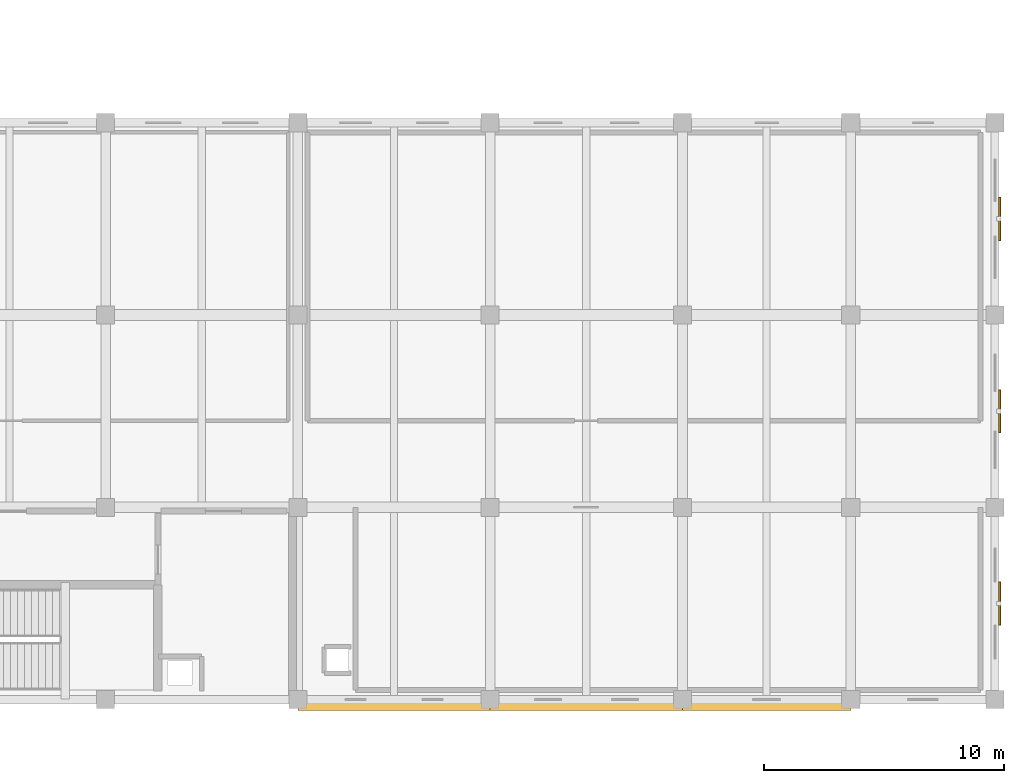
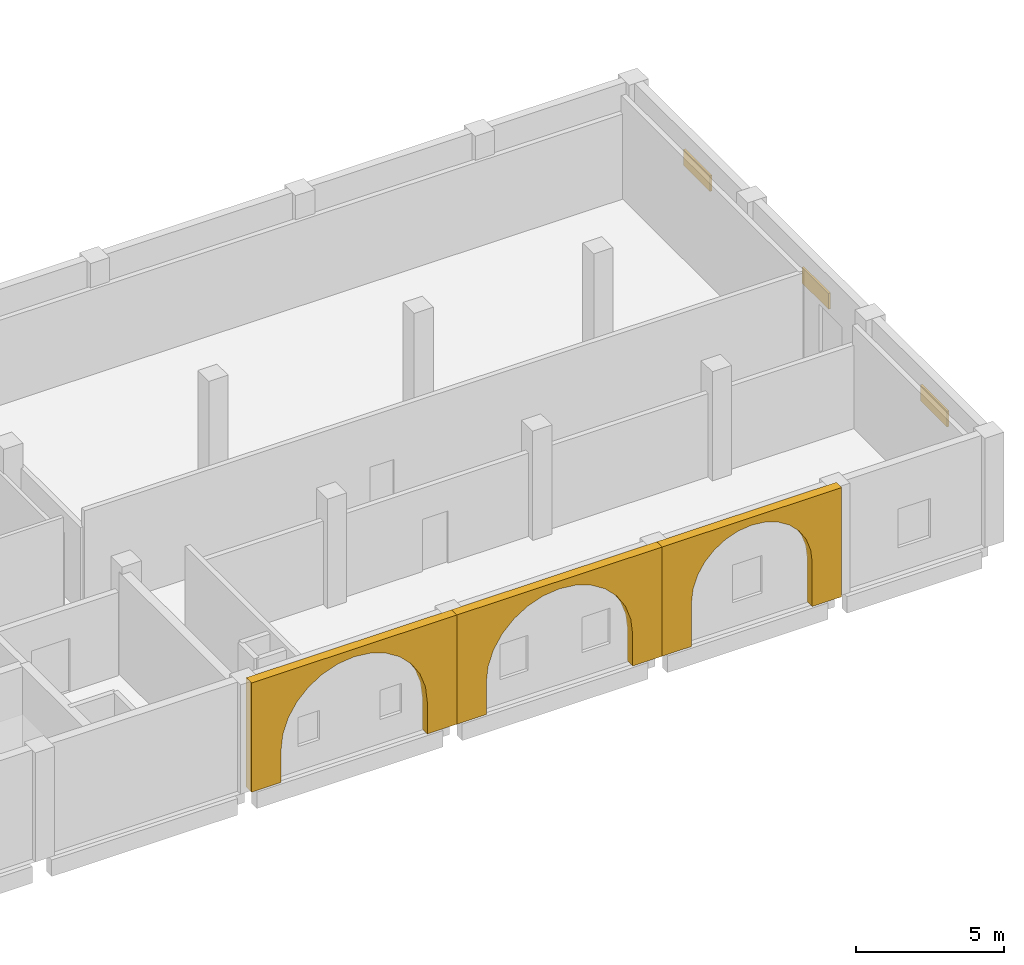
# One storey, part 53 of 53: 3 coverings, 3 shading devices.
"""IFC4 building model written with IfcOpenShell, lengths in metres."""

from ifc_helpers import new_model, si_unit, direction, frame, origin, origin_2d, place, context, subcontext, project, spatial, polyline, rectangle, outline, extrude, material, layer, layer_set, type_object, element, save


model = new_model("IFC4")

# Units and contexts
model_context = context("Model", 3, precision=1e-05, world=origin(), true_north=direction((0.0, 1.0)))
body_context = subcontext(model_context, "Body", "Model", "MODEL_VIEW")
ifc_project = project(units=[si_unit("LENGTHUNIT", "METRE"), si_unit("AREAUNIT", "SQUARE_METRE"), si_unit("VOLUMEUNIT", "CUBIC_METRE"), si_unit("PLANEANGLEUNIT", "RADIAN"), si_unit("MASSUNIT", "GRAM", prefix="KILO")], contexts=[model_context])

# Site, building, storey
site_placement = place(None, origin())
site = spatial("IfcSite", under=ifc_project, at=site_placement, CompositionType="ELEMENT")
building_placement = place(site_placement, origin())
building = spatial("IfcBuilding", under=site, at=building_placement, Name="Qorikala Patio Media Centre", CompositionType="ELEMENT")
storey_placement = place(building_placement, frame((0.0, 0.0, 5.39990234375)))
storey = spatial("IfcBuildingStorey", under=building, at=storey_placement, Name="L01", CompositionType="ELEMENT", Elevation=5.39990234375)

# Coverings
ifc_material_1 = material(Name="Comanche Granite Ashlar Stone", Category="masonry")
ifc_layer_1 = layer(ifc_material_1, 0.06005859375)
ifc_layer_set_1 = layer_set([ifc_layer_1], Name="Comanche Granite Ashlar Stone")
covering_type = type_object("IfcCoveringType", Name="COV-CLAD-STONE", PredefinedType="CLADDING", material=ifc_layer_set_1)
for number, where, z_axis, x_axis, name in (
    (1, (138.0, 2.719970703125, 0.0), (0.0, 0.0, 1.0), (1.0, 0.0, 0.0), "Spanish Colonial Stone Arched Arcade UARC-V7S-4"),
    (2, (146.0, 2.719970703125, 0.0), (0.0, 0.0, 1.0), (1.0, 0.0, 0.0), "Spanish Colonial Stone Arched Arcade UARC-V7S-5"),
):
    element("IfcCovering", number, at=place(storey_placement, frame(where, z_axis=z_axis, x_axis=x_axis)), inside=storey, type_object=covering_type, Name=name, PredefinedType="CLADDING", context=body_context, shape_type="SweptSolid", body=[
        extrude(outline(polyline([(0.0, 0.0), (1.14990234375, 0.0), (1.14990234375, 1.330078125), (1.221435546875, 1.964111328125), (1.43212890625, 2.566650390625), (1.771728515625, 3.10693359375), (2.22314453125, 3.55810546875), (2.763427734375, 3.897705078125), (3.36572265625, 4.1083984375), (4.0, 4.179931640625), (4.63427734375, 4.1083984375), (5.236572265625, 3.897705078125), (5.77685546875, 3.55810546875), (6.228271484375, 3.10693359375), (6.56787109375, 2.566650390625), (6.778564453125, 1.964111328125), (6.85009765625, 1.330078125), (6.85009765625, 0.0), (8.0, 0.0), (8.0, 4.5), (0.0, 4.5), (0.0, 0.0)])), frame((0.0, 0.18017578125, 0.0), z_axis=(0.0, -1.0, 0.0), x_axis=(1.0, 0.0, 0.0)), (0.0, 0.0, 1.0), 0.360107421875),
    ])
covering_placement = place(storey_placement, frame((154.0, 2.719970703125, 0.0), z_axis=(0.0, 0.0, 1.0), x_axis=(1.0, 0.0, 0.0)))
element("IfcCovering", 3, at=covering_placement, inside=storey, type_object=covering_type, Name="Spanish Colonial Stone Arched Arcade UARC-V7S-6", PredefinedType="CLADDING", context=body_context, shape_type="SweptSolid", body=[
    extrude(outline(polyline([(0.0, 0.0), (1.14990234375, 0.0), (1.14990234375, 1.830078125), (1.208984375, 2.352783203125), (1.3828125, 2.849609375), (1.66259765625, 3.295166015625), (2.034912109375, 3.667236328125), (2.48046875, 3.947265625), (2.97705078125, 4.12109375), (3.5, 4.179931640625), (4.02294921875, 4.12109375), (4.51953125, 3.947265625), (4.965087890625, 3.667236328125), (5.33740234375, 3.295166015625), (5.6171875, 2.849609375), (5.791015625, 2.352783203125), (5.85009765625, 1.830078125), (5.85009765625, 0.0), (7.0, 0.0), (7.0, 4.5), (0.0, 4.5), (0.0, 0.0)])), frame((0.0, 0.18017578125, 0.0), z_axis=(0.0, -1.0, 0.0), x_axis=(1.0, 0.0, 0.0)), (0.0, 0.0, 1.0), 0.360107421875),
])

# Shading devices
ifc_material_2 = material(Name="Bronze Anodised Aluminium", Category="aluminium")
ifc_layer_2 = layer(ifc_material_2, 0.080078125)
ifc_layer_set_2 = layer_set([ifc_layer_2], Name="Bronze Anodised Aluminium")
shading_device_type = type_object("IfcShadingDeviceType", Name="SHD-LOUVRE", PredefinedType="JALOUSIE", material=ifc_layer_set_2)
for number, where, z_axis, x_axis, name in (
    (4, (167.199951171875, 23.0, 2.675048828125), (0.0, 0.0, 1.0), (0.0, -1.0, 0.0), "L01 Acoustic Intake Louvre 009"),
    (5, (167.199951171875, 15.0, 2.675048828125), (0.0, 0.0, 1.0), (0.0, -1.0, 0.0), "L01 Acoustic Intake Louvre 010"),
    (6, (167.199951171875, 7.0, 2.675048828125), (0.0, 0.0, 1.0), (0.0, -1.0, 0.0), "L01 Acoustic Intake Louvre 011"),
):
    element("IfcShadingDevice", number, at=place(storey_placement, frame(where, z_axis=z_axis, x_axis=x_axis)), inside=storey, type_object=shading_device_type, Name=name, PredefinedType="JALOUSIE", context=body_context, shape_type="SweptSolid", body=[
        extrude(rectangle(XDim=1.800048828125, YDim=0.080078125, at=origin_2d()), origin(), (0.0, 0.0, 1.0), 0.64990234375),
    ])

save(model, "model.ifc")
